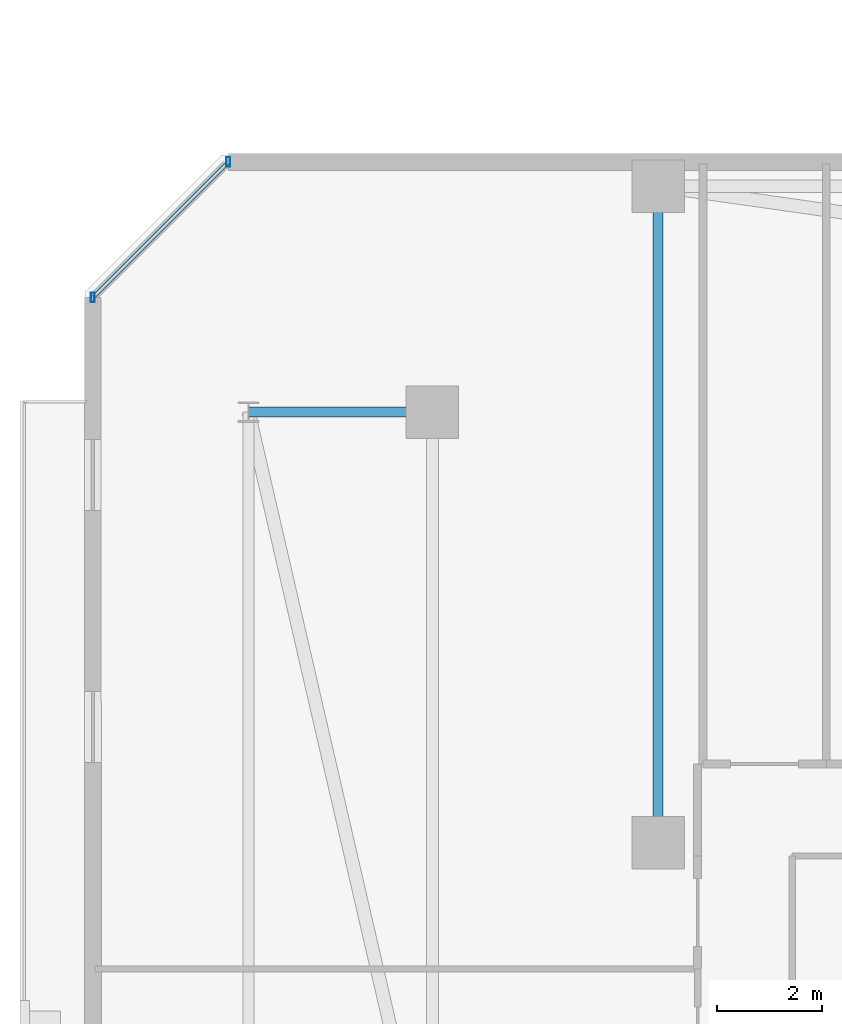
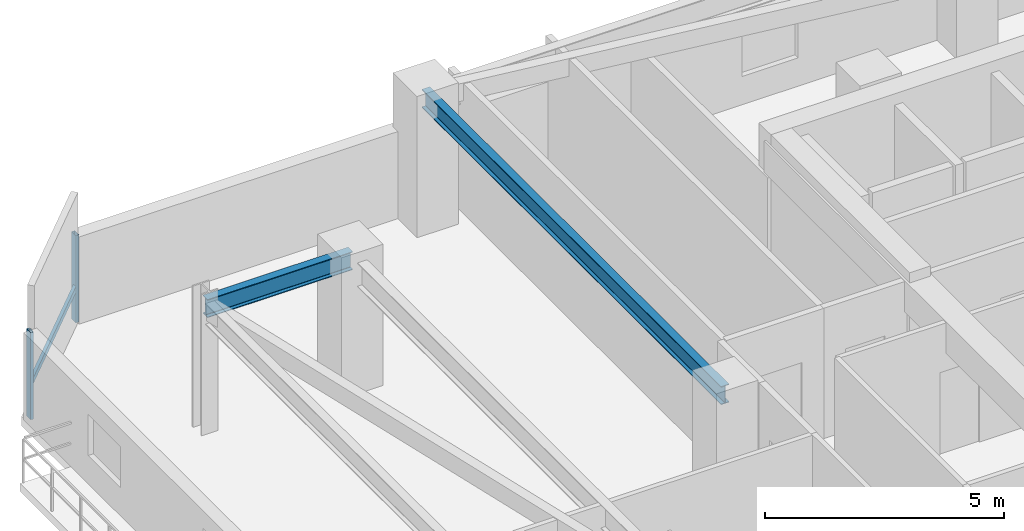
# One storey, part 7 of 34: 3 members, 2 beams, 1 element without a shape of its own.
"""IFC4 building model written with IfcOpenShell, lengths in metres."""

from ifc_helpers import new_model, si_unit, direction, frame, origin, origin_2d, place, context, subcontext, project, spatial, hollow_rectangle, i_section, extrude, material, material_profile, profile_set, type_object, element, aggregate, save


model = new_model("IFC4")

# Units and contexts
model_context = context("Model", 3, precision=1e-05, world=origin(), true_north=direction((0.0, 1.0)))
body_context = subcontext(model_context, "Body", "Model", "MODEL_VIEW")
ifc_project = project(units=[si_unit("LENGTHUNIT", "METRE"), si_unit("AREAUNIT", "SQUARE_METRE"), si_unit("VOLUMEUNIT", "CUBIC_METRE"), si_unit("PLANEANGLEUNIT", "RADIAN"), si_unit("MASSUNIT", "GRAM", prefix="KILO")], contexts=[model_context])

# Site, building, storey
site_placement = place(None, origin())
site = spatial("IfcSite", under=ifc_project, at=site_placement, CompositionType="ELEMENT")
building_placement = place(site_placement, origin())
building = spatial("IfcBuilding", under=site, at=building_placement, Name="Thornwick Lancets Civic Towers", CompositionType="ELEMENT")
storey_placement = place(building_placement, frame((0.0, 0.0, 251.10009765625)))
storey = spatial("IfcBuildingStorey", under=building, at=storey_placement, Name="L67", CompositionType="ELEMENT", Elevation=251.10009765625)

# Beams
ifc_material_1 = material(Name="Steel S355JR", Category="steel")
ifc_material_profile_1 = material_profile(ifc_material_1, i_section(OverallWidth=0.19189453125, OverallDepth=0.46337890625, WebThickness=0.010498046875, FlangeThickness=0.017578125, FilletRadius=0.01025390625, at=origin_2d()), Name="UKB 457x191x89")
ifc_profile_set_1 = profile_set([ifc_material_profile_1], Name="Steel S355JR")
beam_type = type_object("IfcBeamType", Name="BM_JOIST_457_89", PredefinedType="JOIST", material=ifc_profile_set_1)
beam_1_placement = place(storey_placement, frame((12.5, 31.800048828125, 3.108154296875), z_axis=(0.0, 1.0, 0.0), x_axis=(-1.0, 0.0, 0.0)))
element("IfcBeam", 1, at=beam_1_placement, inside=storey, type_object=beam_type, Name="BM-RADIN-L67-A07", PredefinedType="JOIST", context=body_context, shape_type="SweptSolid", body=[
    extrude(i_section(OverallWidth=0.19189453125, OverallDepth=0.46337890625, WebThickness=0.010498046875, FlangeThickness=0.017578125, FilletRadius=0.01025390625, at=origin_2d()), origin(), (0.0, 0.0, 1.0), 12.5),
])
beam_2_placement = place(storey_placement, frame((8.199951171875, 40.0, 3.108154296875), z_axis=(-1.0, 0.0, 0.0), x_axis=(0.0, -1.0, 0.0)))
element("IfcBeam", 2, at=beam_2_placement, inside=storey, type_object=beam_type, Name="BM-RAD-L67-A12", PredefinedType="JOIST", context=body_context, shape_type="SweptSolid", body=[
    extrude(i_section(OverallWidth=0.19189453125, OverallDepth=0.46337890625, WebThickness=0.010498046875, FlangeThickness=0.017578125, FilletRadius=0.01025390625, at=origin_2d()), origin(), (0.0, 0.0, 1.0), 3.5),
])

# Curtain wall, members
ifc_material_2 = material(Name="High-zone chamfered-corner unitised glass curtain wall", Category="glass")
curtain_wall_type = type_object("IfcCurtainWallType", Name="CW_SYS_05", PredefinedType="NOTDEFINED", material=ifc_material_2)
curtain_wall_placement = place(storey_placement, origin())
curtain_wall = element("IfcCurtainWall", 3, at=curtain_wall_placement, inside=storey, type_object=curtain_wall_type, Name="L67 Curtain Wall CW-L67-A-E5", PredefinedType="NOTDEFINED")
ifc_material_3 = material(Name="Thermally broken bronze aluminium S355", Category="steel")
ifc_material_profile_2 = material_profile(ifc_material_3, hollow_rectangle(XDim=0.074951171875, YDim=0.179931640625, WallThickness=0.006103515625, at=origin_2d()), Name="RHS 180x75x6")
ifc_profile_set_2 = profile_set([ifc_material_profile_2], Name="Thermally broken bronze aluminium S355")
member_type_1 = type_object("IfcMemberType", Name="CW_MUL_180", PredefinedType="MULLION", material=ifc_profile_set_2)
member_1_placement = place(storey_placement, frame((4.318603515625, 44.7646484375, 0.0), z_axis=(0.0, 0.0, 1.0), x_axis=(1.0, 0.0, 0.0)))
member_1 = element("IfcMember", 4, at=member_1_placement, type_object=member_type_1, Name="CW-L67-A-E5 Mullion 0", PredefinedType="MULLION", context=body_context, shape_type="SweptSolid", body=[
    extrude(hollow_rectangle(XDim=0.074951171875, YDim=0.179931640625, WallThickness=0.006103515625, at=origin_2d()), origin(), (0.0, 0.0, 1.0), 2.219970703125),
])
member_2_placement = place(storey_placement, frame((1.7353515625, 42.181396484375, 0.0), z_axis=(0.0, 0.0, 1.0), x_axis=(1.0, 0.0, 0.0)))
member_2 = element("IfcMember", 5, at=member_2_placement, type_object=member_type_1, Name="CW-L67-A-E5 Mullion 1", PredefinedType="MULLION", context=body_context, shape_type="SweptSolid", body=[
    extrude(hollow_rectangle(XDim=0.074951171875, YDim=0.179931640625, WallThickness=0.006103515625, at=origin_2d()), origin(), (0.0, 0.0, 1.0), 2.219970703125),
])
ifc_material_profile_3 = material_profile(ifc_material_3, hollow_rectangle(XDim=0.074951171875, YDim=0.14990234375, WallThickness=0.0048828125, at=origin_2d()), Name="RHS 150x75x5")
ifc_profile_set_3 = profile_set([ifc_material_profile_3], Name="Thermally broken bronze aluminium S355")
member_type_2 = type_object("IfcMemberType", Name="CW_TRN_150", PredefinedType="USERDEFINED", material=ifc_profile_set_3)
member_3_placement = place(storey_placement, frame((4.304443359375, 44.75048828125, 0.849853515625), z_axis=(-0.707106781187, -0.707106781187, 0.0), x_axis=(0.707106781187, -0.707106781187, 0.0)))
member_3 = element("IfcMember", 6, at=member_3_placement, type_object=member_type_2, Name="CW-L67-A-E5 Transom 0", ObjectType="TRANSOM", PredefinedType="USERDEFINED", context=body_context, shape_type="SweptSolid", body=[
    extrude(hollow_rectangle(XDim=0.074951171875, YDim=0.14990234375, WallThickness=0.0048828125, at=origin_2d()), origin(), (0.0, 0.0, 1.0), 3.61328125),
])
aggregate(curtain_wall, [member_1, member_2, member_3])

save(model, "model.ifc")
